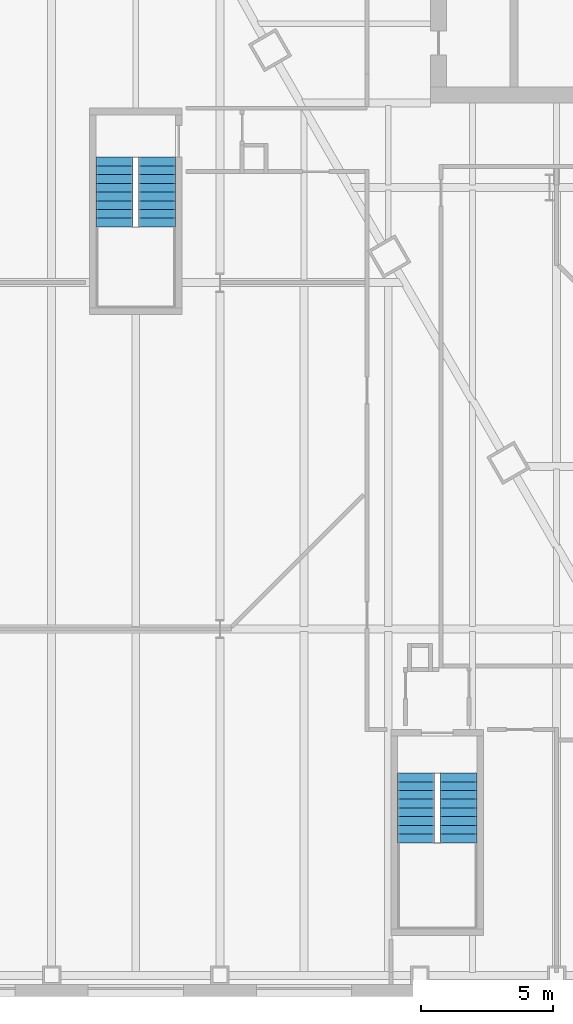
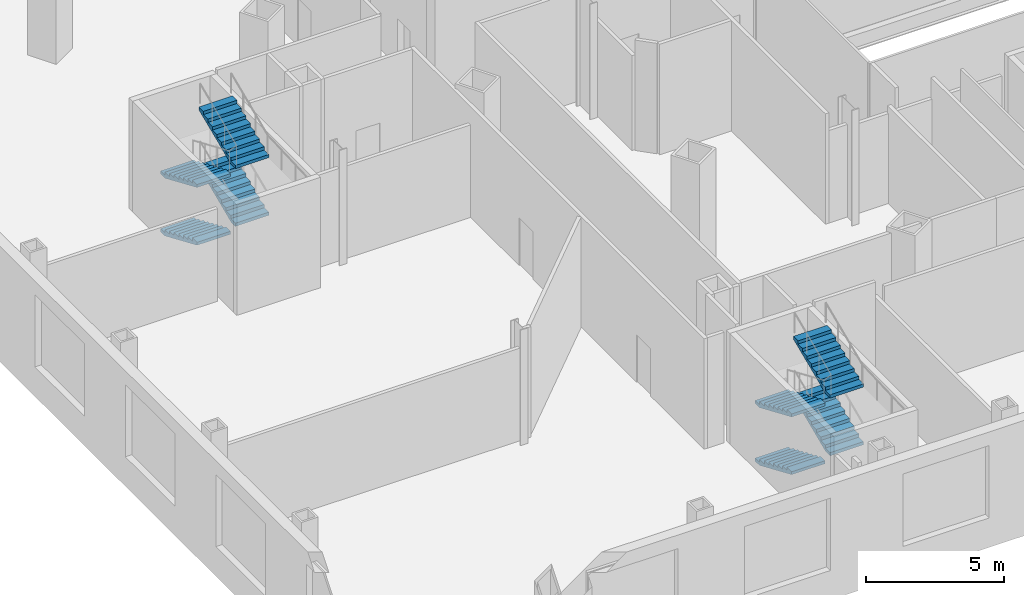
# One storey, part 16 of 21: 8 stair flights, 2 elements without a shape of their own.
"""IFC4 building model written with IfcOpenShell, lengths in metres."""

from ifc_helpers import new_model, si_unit, direction, frame, origin, place, context, subcontext, project, spatial, polygons, material, type_object, element, aggregate, save


model = new_model("IFC4")

# Units and contexts
model_context = context("Model", 3, precision=1e-05, world=origin(), true_north=direction((0.0, 1.0)))
body_context = subcontext(model_context, "Body", "Model", "MODEL_VIEW")
ifc_project = project(units=[si_unit("LENGTHUNIT", "METRE"), si_unit("AREAUNIT", "SQUARE_METRE"), si_unit("VOLUMEUNIT", "CUBIC_METRE"), si_unit("PLANEANGLEUNIT", "RADIAN"), si_unit("MASSUNIT", "GRAM", prefix="KILO")], contexts=[model_context])

# Site, building, storey
site_placement = place(None, origin())
site = spatial("IfcSite", under=ifc_project, at=site_placement, CompositionType="ELEMENT")
building_placement = place(site_placement, origin())
building = spatial("IfcBuilding", under=site, at=building_placement, Name="Njiva Tower", CompositionType="ELEMENT")
storey_placement = place(building_placement, frame((0.0, 0.0, 8.4)))
storey = spatial("IfcBuildingStorey", under=building, at=storey_placement, Name="L01", CompositionType="ELEMENT", Elevation=8.4)

# Stair, stair flights
ifc_material = material(Name="Concrete C40/50", Category="concrete")
stair_type = type_object("IfcStairType", Name="ST2 Exit stair 1400", PredefinedType="HALF_TURN_STAIR", material=ifc_material)
stair_1_placement = place(storey_placement, origin())
stair_1 = element("IfcStair", 1, at=stair_1_placement, inside=storey, type_object=stair_type, Name="Stair D", PredefinedType="DOUBLE_RETURN_STAIR")
stair_flight_type = type_object("IfcStairFlightType", Name="FL2 Stair flight 1400", PredefinedType="STRAIGHT", material=ifc_material)
stair_flight_1_placement = place(storey_placement, frame((-18.05, -25.35, 0.0), z_axis=(0.0, 0.0, 1.0), x_axis=(0.0, -1.0, 0.0)))
stair_flight_1 = element("IfcStairFlight", 2, at=stair_flight_1_placement, type_object=stair_flight_type, Name="ST-D flight 1", NumberOfRisers=9, NumberOfTreads=8, PredefinedType="STRAIGHT", RiserHeight=0.141666667, TreadLength=0.33, context=body_context, shape_type="Tessellation", body=[
    polygons([(0.0, 0.7, 0.0), (0.0, 0.35, 0.0), (0.0, 0.0, 0.0), (0.0, -0.35, 0.0), (0.0, -0.7, 0.0), (0.0, 0.7, 0.1417), (0.0, 0.35, 0.1417), (0.0, 0.0, 0.1417), (0.0, -0.35, 0.1417), (0.0, -0.7, 0.1417), (0.33, 0.7, 0.1417), (0.33, 0.35, 0.1417), (0.33, 0.0, 0.1417), (0.33, -0.35, 0.1417), (0.33, -0.7, 0.1417), (0.33, 0.7, 0.2833), (0.33, 0.35, 0.2833), (0.33, 0.0, 0.2833), (0.33, -0.35, 0.2833), (0.33, -0.7, 0.2833), (0.66, 0.7, 0.2833), (0.66, 0.35, 0.2833), (0.66, 0.0, 0.2833), (0.66, -0.35, 0.2833), (0.66, -0.7, 0.2833), (0.66, 0.7, 0.425), (0.66, 0.35, 0.425), (0.66, 0.0, 0.425), (0.66, -0.35, 0.425), (0.66, -0.7, 0.425), (0.99, 0.7, 0.425), (0.99, 0.35, 0.425), (0.99, 0.0, 0.425), (0.99, -0.35, 0.425), (0.99, -0.7, 0.425), (0.99, 0.7, 0.5667), (0.99, 0.35, 0.5667), (0.99, 0.0, 0.5667), (0.99, -0.35, 0.5667), (0.99, -0.7, 0.5667), (1.32, 0.7, 0.5667), (1.32, 0.35, 0.5667), (1.32, 0.0, 0.5667), (1.32, -0.35, 0.5667), (1.32, -0.7, 0.5667), (1.32, 0.7, 0.7083), (1.32, 0.35, 0.7083), (1.32, 0.0, 0.7083), (1.32, -0.35, 0.7083), (1.32, -0.7, 0.7083), (1.65, 0.7, 0.7083), (1.65, 0.35, 0.7083), (1.65, 0.0, 0.7083), (1.65, -0.35, 0.7083), (1.65, -0.7, 0.7083), (1.65, 0.7, 0.85), (1.65, 0.35, 0.85), (1.65, 0.0, 0.85), (1.65, -0.35, 0.85), (1.65, -0.7, 0.85), (1.98, 0.7, 0.85), (1.98, 0.35, 0.85), (1.98, 0.0, 0.85), (1.98, -0.35, 0.85), (1.98, -0.7, 0.85), (1.98, 0.7, 0.9917), (1.98, 0.35, 0.9917), (1.98, 0.0, 0.9917), (1.98, -0.35, 0.9917), (1.98, -0.7, 0.9917), (2.31, 0.7, 0.9917), (2.31, 0.35, 0.9917), (2.31, 0.0, 0.9917), (2.31, -0.35, 0.9917), (2.31, -0.7, 0.9917), (2.31, 0.7, 1.1333), (2.31, 0.35, 1.1333), (2.31, 0.0, 1.1333), (2.31, -0.35, 1.1333), (2.31, -0.7, 1.1333), (2.64, 0.7, 1.1333), (2.64, 0.35, 1.1333), (2.64, 0.0, 1.1333), (2.64, -0.35, 1.1333), (2.64, -0.7, 1.1333), (2.64, 0.7, 1.0027), (2.64, 0.35, 1.0027), (2.64, 0.0, 1.0027), (2.64, -0.35, 1.0027), (2.64, -0.7, 1.0027), (0.3042, 0.7, 0.0), (0.3042, 0.35, 0.0), (0.3042, 0.0, 0.0), (0.3042, -0.35, 0.0), (0.3042, -0.7, 0.0)], [[[1, 6, 11, 16, 21, 26, 31, 36, 41, 46, 51, 56, 61, 66, 71, 76, 81, 86, 91]], [[95, 90, 85, 80, 75, 70, 65, 60, 55, 50, 45, 40, 35, 30, 25, 20, 15, 10, 5]], [[6, 1, 2, 7]], [[7, 2, 3, 8]], [[8, 3, 4, 9]], [[9, 4, 5, 10]], [[11, 6, 7, 12]], [[12, 7, 8, 13]], [[13, 8, 9, 14]], [[14, 9, 10, 15]], [[16, 11, 12, 17]], [[17, 12, 13, 18]], [[18, 13, 14, 19]], [[19, 14, 15, 20]], [[21, 16, 17, 22]], [[22, 17, 18, 23]], [[23, 18, 19, 24]], [[24, 19, 20, 25]], [[26, 21, 22, 27]], [[27, 22, 23, 28]], [[28, 23, 24, 29]], [[29, 24, 25, 30]], [[31, 26, 27, 32]], [[32, 27, 28, 33]], [[33, 28, 29, 34]], [[34, 29, 30, 35]], [[36, 31, 32, 37]], [[37, 32, 33, 38]], [[38, 33, 34, 39]], [[39, 34, 35, 40]], [[41, 36, 37, 42]], [[42, 37, 38, 43]], [[43, 38, 39, 44]], [[44, 39, 40, 45]], [[46, 41, 42, 47]], [[47, 42, 43, 48]], [[48, 43, 44, 49]], [[49, 44, 45, 50]], [[51, 46, 47, 52]], [[52, 47, 48, 53]], [[53, 48, 49, 54]], [[54, 49, 50, 55]], [[56, 51, 52, 57]], [[57, 52, 53, 58]], [[58, 53, 54, 59]], [[59, 54, 55, 60]], [[61, 56, 57, 62]], [[62, 57, 58, 63]], [[63, 58, 59, 64]], [[64, 59, 60, 65]], [[66, 61, 62, 67]], [[67, 62, 63, 68]], [[68, 63, 64, 69]], [[69, 64, 65, 70]], [[71, 66, 67, 72]], [[72, 67, 68, 73]], [[73, 68, 69, 74]], [[74, 69, 70, 75]], [[76, 71, 72, 77]], [[77, 72, 73, 78]], [[78, 73, 74, 79]], [[79, 74, 75, 80]], [[81, 76, 77, 82]], [[82, 77, 78, 83]], [[83, 78, 79, 84]], [[84, 79, 80, 85]], [[86, 81, 82, 87]], [[87, 82, 83, 88]], [[88, 83, 84, 89]], [[89, 84, 85, 90]], [[91, 86, 87, 92]], [[92, 87, 88, 93]], [[93, 88, 89, 94]], [[94, 89, 90, 95]], [[1, 91, 92, 2]], [[2, 92, 93, 3]], [[3, 93, 94, 4]], [[4, 94, 95, 5]]], closed=True),
])
stair_flight_2_placement = place(storey_placement, frame((-16.45, -27.99, 1.275), z_axis=(0.0, 0.0, 1.0), x_axis=(0.0, 1.0, 0.0)))
stair_flight_2 = element("IfcStairFlight", 3, at=stair_flight_2_placement, type_object=stair_flight_type, Name="ST-D flight 2", NumberOfRisers=9, NumberOfTreads=8, PredefinedType="STRAIGHT", RiserHeight=0.141666667, TreadLength=0.33, context=body_context, shape_type="Tessellation", body=[
    polygons([(0.0, 0.7, 0.0), (0.0, 0.35, 0.0), (0.0, 0.0, 0.0), (0.0, -0.35, 0.0), (0.0, -0.7, 0.0), (0.0, 0.7, 0.1417), (0.0, 0.35, 0.1417), (0.0, 0.0, 0.1417), (0.0, -0.35, 0.1417), (0.0, -0.7, 0.1417), (0.33, 0.7, 0.1417), (0.33, 0.35, 0.1417), (0.33, 0.0, 0.1417), (0.33, -0.35, 0.1417), (0.33, -0.7, 0.1417), (0.33, 0.7, 0.2833), (0.33, 0.35, 0.2833), (0.33, 0.0, 0.2833), (0.33, -0.35, 0.2833), (0.33, -0.7, 0.2833), (0.66, 0.7, 0.2833), (0.66, 0.35, 0.2833), (0.66, 0.0, 0.2833), (0.66, -0.35, 0.2833), (0.66, -0.7, 0.2833), (0.66, 0.7, 0.425), (0.66, 0.35, 0.425), (0.66, 0.0, 0.425), (0.66, -0.35, 0.425), (0.66, -0.7, 0.425), (0.99, 0.7, 0.425), (0.99, 0.35, 0.425), (0.99, 0.0, 0.425), (0.99, -0.35, 0.425), (0.99, -0.7, 0.425), (0.99, 0.7, 0.5667), (0.99, 0.35, 0.5667), (0.99, 0.0, 0.5667), (0.99, -0.35, 0.5667), (0.99, -0.7, 0.5667), (1.32, 0.7, 0.5667), (1.32, 0.35, 0.5667), (1.32, 0.0, 0.5667), (1.32, -0.35, 0.5667), (1.32, -0.7, 0.5667), (1.32, 0.7, 0.7083), (1.32, 0.35, 0.7083), (1.32, 0.0, 0.7083), (1.32, -0.35, 0.7083), (1.32, -0.7, 0.7083), (1.65, 0.7, 0.7083), (1.65, 0.35, 0.7083), (1.65, 0.0, 0.7083), (1.65, -0.35, 0.7083), (1.65, -0.7, 0.7083), (1.65, 0.7, 0.85), (1.65, 0.35, 0.85), (1.65, 0.0, 0.85), (1.65, -0.35, 0.85), (1.65, -0.7, 0.85), (1.98, 0.7, 0.85), (1.98, 0.35, 0.85), (1.98, 0.0, 0.85), (1.98, -0.35, 0.85), (1.98, -0.7, 0.85), (1.98, 0.7, 0.9917), (1.98, 0.35, 0.9917), (1.98, 0.0, 0.9917), (1.98, -0.35, 0.9917), (1.98, -0.7, 0.9917), (2.31, 0.7, 0.9917), (2.31, 0.35, 0.9917), (2.31, 0.0, 0.9917), (2.31, -0.35, 0.9917), (2.31, -0.7, 0.9917), (2.31, 0.7, 1.1333), (2.31, 0.35, 1.1333), (2.31, 0.0, 1.1333), (2.31, -0.35, 1.1333), (2.31, -0.7, 1.1333), (2.64, 0.7, 1.1333), (2.64, 0.35, 1.1333), (2.64, 0.0, 1.1333), (2.64, -0.35, 1.1333), (2.64, -0.7, 1.1333), (2.64, 0.7, 1.0027), (2.64, 0.35, 1.0027), (2.64, 0.0, 1.0027), (2.64, -0.35, 1.0027), (2.64, -0.7, 1.0027), (0.3042, 0.7, 0.0), (0.3042, 0.35, 0.0), (0.3042, 0.0, 0.0), (0.3042, -0.35, 0.0), (0.3042, -0.7, 0.0)], [[[1, 6, 11, 16, 21, 26, 31, 36, 41, 46, 51, 56, 61, 66, 71, 76, 81, 86, 91]], [[95, 90, 85, 80, 75, 70, 65, 60, 55, 50, 45, 40, 35, 30, 25, 20, 15, 10, 5]], [[6, 1, 2, 7]], [[7, 2, 3, 8]], [[8, 3, 4, 9]], [[9, 4, 5, 10]], [[11, 6, 7, 12]], [[12, 7, 8, 13]], [[13, 8, 9, 14]], [[14, 9, 10, 15]], [[16, 11, 12, 17]], [[17, 12, 13, 18]], [[18, 13, 14, 19]], [[19, 14, 15, 20]], [[21, 16, 17, 22]], [[22, 17, 18, 23]], [[23, 18, 19, 24]], [[24, 19, 20, 25]], [[26, 21, 22, 27]], [[27, 22, 23, 28]], [[28, 23, 24, 29]], [[29, 24, 25, 30]], [[31, 26, 27, 32]], [[32, 27, 28, 33]], [[33, 28, 29, 34]], [[34, 29, 30, 35]], [[36, 31, 32, 37]], [[37, 32, 33, 38]], [[38, 33, 34, 39]], [[39, 34, 35, 40]], [[41, 36, 37, 42]], [[42, 37, 38, 43]], [[43, 38, 39, 44]], [[44, 39, 40, 45]], [[46, 41, 42, 47]], [[47, 42, 43, 48]], [[48, 43, 44, 49]], [[49, 44, 45, 50]], [[51, 46, 47, 52]], [[52, 47, 48, 53]], [[53, 48, 49, 54]], [[54, 49, 50, 55]], [[56, 51, 52, 57]], [[57, 52, 53, 58]], [[58, 53, 54, 59]], [[59, 54, 55, 60]], [[61, 56, 57, 62]], [[62, 57, 58, 63]], [[63, 58, 59, 64]], [[64, 59, 60, 65]], [[66, 61, 62, 67]], [[67, 62, 63, 68]], [[68, 63, 64, 69]], [[69, 64, 65, 70]], [[71, 66, 67, 72]], [[72, 67, 68, 73]], [[73, 68, 69, 74]], [[74, 69, 70, 75]], [[76, 71, 72, 77]], [[77, 72, 73, 78]], [[78, 73, 74, 79]], [[79, 74, 75, 80]], [[81, 76, 77, 82]], [[82, 77, 78, 83]], [[83, 78, 79, 84]], [[84, 79, 80, 85]], [[86, 81, 82, 87]], [[87, 82, 83, 88]], [[88, 83, 84, 89]], [[89, 84, 85, 90]], [[91, 86, 87, 92]], [[92, 87, 88, 93]], [[93, 88, 89, 94]], [[94, 89, 90, 95]], [[1, 91, 92, 2]], [[2, 92, 93, 3]], [[3, 93, 94, 4]], [[4, 94, 95, 5]]], closed=True),
])
stair_flight_3_placement = place(storey_placement, frame((-18.05, -25.35, 2.55), z_axis=(0.0, 0.0, 1.0), x_axis=(0.0, -1.0, 0.0)))
stair_flight_3 = element("IfcStairFlight", 4, at=stair_flight_3_placement, type_object=stair_flight_type, Name="ST-D flight 3", NumberOfRisers=9, NumberOfTreads=8, PredefinedType="STRAIGHT", RiserHeight=0.141666667, TreadLength=0.33, context=body_context, shape_type="Tessellation", body=[
    polygons([(0.0, 0.7, 0.0), (0.0, 0.35, 0.0), (0.0, 0.0, 0.0), (0.0, -0.35, 0.0), (0.0, -0.7, 0.0), (0.0, 0.7, 0.1417), (0.0, 0.35, 0.1417), (0.0, 0.0, 0.1417), (0.0, -0.35, 0.1417), (0.0, -0.7, 0.1417), (0.33, 0.7, 0.1417), (0.33, 0.35, 0.1417), (0.33, 0.0, 0.1417), (0.33, -0.35, 0.1417), (0.33, -0.7, 0.1417), (0.33, 0.7, 0.2833), (0.33, 0.35, 0.2833), (0.33, 0.0, 0.2833), (0.33, -0.35, 0.2833), (0.33, -0.7, 0.2833), (0.66, 0.7, 0.2833), (0.66, 0.35, 0.2833), (0.66, 0.0, 0.2833), (0.66, -0.35, 0.2833), (0.66, -0.7, 0.2833), (0.66, 0.7, 0.425), (0.66, 0.35, 0.425), (0.66, 0.0, 0.425), (0.66, -0.35, 0.425), (0.66, -0.7, 0.425), (0.99, 0.7, 0.425), (0.99, 0.35, 0.425), (0.99, 0.0, 0.425), (0.99, -0.35, 0.425), (0.99, -0.7, 0.425), (0.99, 0.7, 0.5667), (0.99, 0.35, 0.5667), (0.99, 0.0, 0.5667), (0.99, -0.35, 0.5667), (0.99, -0.7, 0.5667), (1.32, 0.7, 0.5667), (1.32, 0.35, 0.5667), (1.32, 0.0, 0.5667), (1.32, -0.35, 0.5667), (1.32, -0.7, 0.5667), (1.32, 0.7, 0.7083), (1.32, 0.35, 0.7083), (1.32, 0.0, 0.7083), (1.32, -0.35, 0.7083), (1.32, -0.7, 0.7083), (1.65, 0.7, 0.7083), (1.65, 0.35, 0.7083), (1.65, 0.0, 0.7083), (1.65, -0.35, 0.7083), (1.65, -0.7, 0.7083), (1.65, 0.7, 0.85), (1.65, 0.35, 0.85), (1.65, 0.0, 0.85), (1.65, -0.35, 0.85), (1.65, -0.7, 0.85), (1.98, 0.7, 0.85), (1.98, 0.35, 0.85), (1.98, 0.0, 0.85), (1.98, -0.35, 0.85), (1.98, -0.7, 0.85), (1.98, 0.7, 0.9917), (1.98, 0.35, 0.9917), (1.98, 0.0, 0.9917), (1.98, -0.35, 0.9917), (1.98, -0.7, 0.9917), (2.31, 0.7, 0.9917), (2.31, 0.35, 0.9917), (2.31, 0.0, 0.9917), (2.31, -0.35, 0.9917), (2.31, -0.7, 0.9917), (2.31, 0.7, 1.1333), (2.31, 0.35, 1.1333), (2.31, 0.0, 1.1333), (2.31, -0.35, 1.1333), (2.31, -0.7, 1.1333), (2.64, 0.7, 1.1333), (2.64, 0.35, 1.1333), (2.64, 0.0, 1.1333), (2.64, -0.35, 1.1333), (2.64, -0.7, 1.1333), (2.64, 0.7, 1.0027), (2.64, 0.35, 1.0027), (2.64, 0.0, 1.0027), (2.64, -0.35, 1.0027), (2.64, -0.7, 1.0027), (0.3042, 0.7, 0.0), (0.3042, 0.35, 0.0), (0.3042, 0.0, 0.0), (0.3042, -0.35, 0.0), (0.3042, -0.7, 0.0)], [[[1, 6, 11, 16, 21, 26, 31, 36, 41, 46, 51, 56, 61, 66, 71, 76, 81, 86, 91]], [[95, 90, 85, 80, 75, 70, 65, 60, 55, 50, 45, 40, 35, 30, 25, 20, 15, 10, 5]], [[6, 1, 2, 7]], [[7, 2, 3, 8]], [[8, 3, 4, 9]], [[9, 4, 5, 10]], [[11, 6, 7, 12]], [[12, 7, 8, 13]], [[13, 8, 9, 14]], [[14, 9, 10, 15]], [[16, 11, 12, 17]], [[17, 12, 13, 18]], [[18, 13, 14, 19]], [[19, 14, 15, 20]], [[21, 16, 17, 22]], [[22, 17, 18, 23]], [[23, 18, 19, 24]], [[24, 19, 20, 25]], [[26, 21, 22, 27]], [[27, 22, 23, 28]], [[28, 23, 24, 29]], [[29, 24, 25, 30]], [[31, 26, 27, 32]], [[32, 27, 28, 33]], [[33, 28, 29, 34]], [[34, 29, 30, 35]], [[36, 31, 32, 37]], [[37, 32, 33, 38]], [[38, 33, 34, 39]], [[39, 34, 35, 40]], [[41, 36, 37, 42]], [[42, 37, 38, 43]], [[43, 38, 39, 44]], [[44, 39, 40, 45]], [[46, 41, 42, 47]], [[47, 42, 43, 48]], [[48, 43, 44, 49]], [[49, 44, 45, 50]], [[51, 46, 47, 52]], [[52, 47, 48, 53]], [[53, 48, 49, 54]], [[54, 49, 50, 55]], [[56, 51, 52, 57]], [[57, 52, 53, 58]], [[58, 53, 54, 59]], [[59, 54, 55, 60]], [[61, 56, 57, 62]], [[62, 57, 58, 63]], [[63, 58, 59, 64]], [[64, 59, 60, 65]], [[66, 61, 62, 67]], [[67, 62, 63, 68]], [[68, 63, 64, 69]], [[69, 64, 65, 70]], [[71, 66, 67, 72]], [[72, 67, 68, 73]], [[73, 68, 69, 74]], [[74, 69, 70, 75]], [[76, 71, 72, 77]], [[77, 72, 73, 78]], [[78, 73, 74, 79]], [[79, 74, 75, 80]], [[81, 76, 77, 82]], [[82, 77, 78, 83]], [[83, 78, 79, 84]], [[84, 79, 80, 85]], [[86, 81, 82, 87]], [[87, 82, 83, 88]], [[88, 83, 84, 89]], [[89, 84, 85, 90]], [[91, 86, 87, 92]], [[92, 87, 88, 93]], [[93, 88, 89, 94]], [[94, 89, 90, 95]], [[1, 91, 92, 2]], [[2, 92, 93, 3]], [[3, 93, 94, 4]], [[4, 94, 95, 5]]], closed=True),
])
stair_flight_4_placement = place(storey_placement, frame((-16.45, -27.99, 3.825), z_axis=(0.0, 0.0, 1.0), x_axis=(0.0, 1.0, 0.0)))
stair_flight_4 = element("IfcStairFlight", 5, at=stair_flight_4_placement, type_object=stair_flight_type, Name="ST-D flight 4", NumberOfRisers=9, NumberOfTreads=8, PredefinedType="STRAIGHT", RiserHeight=0.141666667, TreadLength=0.33, context=body_context, shape_type="Tessellation", body=[
    polygons([(0.0, 0.7, 0.0), (0.0, 0.35, 0.0), (0.0, 0.0, 0.0), (0.0, -0.35, 0.0), (0.0, -0.7, 0.0), (0.0, 0.7, 0.1417), (0.0, 0.35, 0.1417), (0.0, 0.0, 0.1417), (0.0, -0.35, 0.1417), (0.0, -0.7, 0.1417), (0.33, 0.7, 0.1417), (0.33, 0.35, 0.1417), (0.33, 0.0, 0.1417), (0.33, -0.35, 0.1417), (0.33, -0.7, 0.1417), (0.33, 0.7, 0.2833), (0.33, 0.35, 0.2833), (0.33, 0.0, 0.2833), (0.33, -0.35, 0.2833), (0.33, -0.7, 0.2833), (0.66, 0.7, 0.2833), (0.66, 0.35, 0.2833), (0.66, 0.0, 0.2833), (0.66, -0.35, 0.2833), (0.66, -0.7, 0.2833), (0.66, 0.7, 0.425), (0.66, 0.35, 0.425), (0.66, 0.0, 0.425), (0.66, -0.35, 0.425), (0.66, -0.7, 0.425), (0.99, 0.7, 0.425), (0.99, 0.35, 0.425), (0.99, 0.0, 0.425), (0.99, -0.35, 0.425), (0.99, -0.7, 0.425), (0.99, 0.7, 0.5667), (0.99, 0.35, 0.5667), (0.99, 0.0, 0.5667), (0.99, -0.35, 0.5667), (0.99, -0.7, 0.5667), (1.32, 0.7, 0.5667), (1.32, 0.35, 0.5667), (1.32, 0.0, 0.5667), (1.32, -0.35, 0.5667), (1.32, -0.7, 0.5667), (1.32, 0.7, 0.7083), (1.32, 0.35, 0.7083), (1.32, 0.0, 0.7083), (1.32, -0.35, 0.7083), (1.32, -0.7, 0.7083), (1.65, 0.7, 0.7083), (1.65, 0.35, 0.7083), (1.65, 0.0, 0.7083), (1.65, -0.35, 0.7083), (1.65, -0.7, 0.7083), (1.65, 0.7, 0.85), (1.65, 0.35, 0.85), (1.65, 0.0, 0.85), (1.65, -0.35, 0.85), (1.65, -0.7, 0.85), (1.98, 0.7, 0.85), (1.98, 0.35, 0.85), (1.98, 0.0, 0.85), (1.98, -0.35, 0.85), (1.98, -0.7, 0.85), (1.98, 0.7, 0.9917), (1.98, 0.35, 0.9917), (1.98, 0.0, 0.9917), (1.98, -0.35, 0.9917), (1.98, -0.7, 0.9917), (2.31, 0.7, 0.9917), (2.31, 0.35, 0.9917), (2.31, 0.0, 0.9917), (2.31, -0.35, 0.9917), (2.31, -0.7, 0.9917), (2.31, 0.7, 1.1333), (2.31, 0.35, 1.1333), (2.31, 0.0, 1.1333), (2.31, -0.35, 1.1333), (2.31, -0.7, 1.1333), (2.64, 0.7, 1.1333), (2.64, 0.35, 1.1333), (2.64, 0.0, 1.1333), (2.64, -0.35, 1.1333), (2.64, -0.7, 1.1333), (2.64, 0.7, 1.0027), (2.64, 0.35, 1.0027), (2.64, 0.0, 1.0027), (2.64, -0.35, 1.0027), (2.64, -0.7, 1.0027), (0.3042, 0.7, 0.0), (0.3042, 0.35, 0.0), (0.3042, 0.0, 0.0), (0.3042, -0.35, 0.0), (0.3042, -0.7, 0.0)], [[[1, 6, 11, 16, 21, 26, 31, 36, 41, 46, 51, 56, 61, 66, 71, 76, 81, 86, 91]], [[95, 90, 85, 80, 75, 70, 65, 60, 55, 50, 45, 40, 35, 30, 25, 20, 15, 10, 5]], [[6, 1, 2, 7]], [[7, 2, 3, 8]], [[8, 3, 4, 9]], [[9, 4, 5, 10]], [[11, 6, 7, 12]], [[12, 7, 8, 13]], [[13, 8, 9, 14]], [[14, 9, 10, 15]], [[16, 11, 12, 17]], [[17, 12, 13, 18]], [[18, 13, 14, 19]], [[19, 14, 15, 20]], [[21, 16, 17, 22]], [[22, 17, 18, 23]], [[23, 18, 19, 24]], [[24, 19, 20, 25]], [[26, 21, 22, 27]], [[27, 22, 23, 28]], [[28, 23, 24, 29]], [[29, 24, 25, 30]], [[31, 26, 27, 32]], [[32, 27, 28, 33]], [[33, 28, 29, 34]], [[34, 29, 30, 35]], [[36, 31, 32, 37]], [[37, 32, 33, 38]], [[38, 33, 34, 39]], [[39, 34, 35, 40]], [[41, 36, 37, 42]], [[42, 37, 38, 43]], [[43, 38, 39, 44]], [[44, 39, 40, 45]], [[46, 41, 42, 47]], [[47, 42, 43, 48]], [[48, 43, 44, 49]], [[49, 44, 45, 50]], [[51, 46, 47, 52]], [[52, 47, 48, 53]], [[53, 48, 49, 54]], [[54, 49, 50, 55]], [[56, 51, 52, 57]], [[57, 52, 53, 58]], [[58, 53, 54, 59]], [[59, 54, 55, 60]], [[61, 56, 57, 62]], [[62, 57, 58, 63]], [[63, 58, 59, 64]], [[64, 59, 60, 65]], [[66, 61, 62, 67]], [[67, 62, 63, 68]], [[68, 63, 64, 69]], [[69, 64, 65, 70]], [[71, 66, 67, 72]], [[72, 67, 68, 73]], [[73, 68, 69, 74]], [[74, 69, 70, 75]], [[76, 71, 72, 77]], [[77, 72, 73, 78]], [[78, 73, 74, 79]], [[79, 74, 75, 80]], [[81, 76, 77, 82]], [[82, 77, 78, 83]], [[83, 78, 79, 84]], [[84, 79, 80, 85]], [[86, 81, 82, 87]], [[87, 82, 83, 88]], [[88, 83, 84, 89]], [[89, 84, 85, 90]], [[91, 86, 87, 92]], [[92, 87, 88, 93]], [[93, 88, 89, 94]], [[94, 89, 90, 95]], [[1, 91, 92, 2]], [[2, 92, 93, 3]], [[3, 93, 94, 4]], [[4, 94, 95, 5]]], closed=True),
])
aggregate(stair_1, [stair_flight_1, stair_flight_2, stair_flight_3, stair_flight_4])

stair_2_placement = place(storey_placement, origin())
stair_2 = element("IfcStair", 6, at=stair_2_placement, inside=storey, type_object=stair_type, Name="Stair F", PredefinedType="DOUBLE_RETURN_STAIR")
stair_flight_5_placement = place(storey_placement, frame((-29.45, -2.05, 0.0), z_axis=(0.0, 0.0, 1.0), x_axis=(0.0, -1.0, 0.0)))
stair_flight_5 = element("IfcStairFlight", 7, at=stair_flight_5_placement, type_object=stair_flight_type, Name="ST-F flight 1", NumberOfRisers=9, NumberOfTreads=8, PredefinedType="STRAIGHT", RiserHeight=0.141666667, TreadLength=0.33, context=body_context, shape_type="Tessellation", body=[
    polygons([(0.0, 0.7, 0.0), (0.0, 0.35, 0.0), (0.0, 0.0, 0.0), (0.0, -0.35, 0.0), (0.0, -0.7, 0.0), (0.0, 0.7, 0.1417), (0.0, 0.35, 0.1417), (0.0, 0.0, 0.1417), (0.0, -0.35, 0.1417), (0.0, -0.7, 0.1417), (0.33, 0.7, 0.1417), (0.33, 0.35, 0.1417), (0.33, 0.0, 0.1417), (0.33, -0.35, 0.1417), (0.33, -0.7, 0.1417), (0.33, 0.7, 0.2833), (0.33, 0.35, 0.2833), (0.33, 0.0, 0.2833), (0.33, -0.35, 0.2833), (0.33, -0.7, 0.2833), (0.66, 0.7, 0.2833), (0.66, 0.35, 0.2833), (0.66, 0.0, 0.2833), (0.66, -0.35, 0.2833), (0.66, -0.7, 0.2833), (0.66, 0.7, 0.425), (0.66, 0.35, 0.425), (0.66, 0.0, 0.425), (0.66, -0.35, 0.425), (0.66, -0.7, 0.425), (0.99, 0.7, 0.425), (0.99, 0.35, 0.425), (0.99, 0.0, 0.425), (0.99, -0.35, 0.425), (0.99, -0.7, 0.425), (0.99, 0.7, 0.5667), (0.99, 0.35, 0.5667), (0.99, 0.0, 0.5667), (0.99, -0.35, 0.5667), (0.99, -0.7, 0.5667), (1.32, 0.7, 0.5667), (1.32, 0.35, 0.5667), (1.32, 0.0, 0.5667), (1.32, -0.35, 0.5667), (1.32, -0.7, 0.5667), (1.32, 0.7, 0.7083), (1.32, 0.35, 0.7083), (1.32, 0.0, 0.7083), (1.32, -0.35, 0.7083), (1.32, -0.7, 0.7083), (1.65, 0.7, 0.7083), (1.65, 0.35, 0.7083), (1.65, 0.0, 0.7083), (1.65, -0.35, 0.7083), (1.65, -0.7, 0.7083), (1.65, 0.7, 0.85), (1.65, 0.35, 0.85), (1.65, 0.0, 0.85), (1.65, -0.35, 0.85), (1.65, -0.7, 0.85), (1.98, 0.7, 0.85), (1.98, 0.35, 0.85), (1.98, 0.0, 0.85), (1.98, -0.35, 0.85), (1.98, -0.7, 0.85), (1.98, 0.7, 0.9917), (1.98, 0.35, 0.9917), (1.98, 0.0, 0.9917), (1.98, -0.35, 0.9917), (1.98, -0.7, 0.9917), (2.31, 0.7, 0.9917), (2.31, 0.35, 0.9917), (2.31, 0.0, 0.9917), (2.31, -0.35, 0.9917), (2.31, -0.7, 0.9917), (2.31, 0.7, 1.1333), (2.31, 0.35, 1.1333), (2.31, 0.0, 1.1333), (2.31, -0.35, 1.1333), (2.31, -0.7, 1.1333), (2.64, 0.7, 1.1333), (2.64, 0.35, 1.1333), (2.64, 0.0, 1.1333), (2.64, -0.35, 1.1333), (2.64, -0.7, 1.1333), (2.64, 0.7, 1.0027), (2.64, 0.35, 1.0027), (2.64, 0.0, 1.0027), (2.64, -0.35, 1.0027), (2.64, -0.7, 1.0027), (0.3042, 0.7, 0.0), (0.3042, 0.35, 0.0), (0.3042, 0.0, 0.0), (0.3042, -0.35, 0.0), (0.3042, -0.7, 0.0)], [[[1, 6, 11, 16, 21, 26, 31, 36, 41, 46, 51, 56, 61, 66, 71, 76, 81, 86, 91]], [[95, 90, 85, 80, 75, 70, 65, 60, 55, 50, 45, 40, 35, 30, 25, 20, 15, 10, 5]], [[6, 1, 2, 7]], [[7, 2, 3, 8]], [[8, 3, 4, 9]], [[9, 4, 5, 10]], [[11, 6, 7, 12]], [[12, 7, 8, 13]], [[13, 8, 9, 14]], [[14, 9, 10, 15]], [[16, 11, 12, 17]], [[17, 12, 13, 18]], [[18, 13, 14, 19]], [[19, 14, 15, 20]], [[21, 16, 17, 22]], [[22, 17, 18, 23]], [[23, 18, 19, 24]], [[24, 19, 20, 25]], [[26, 21, 22, 27]], [[27, 22, 23, 28]], [[28, 23, 24, 29]], [[29, 24, 25, 30]], [[31, 26, 27, 32]], [[32, 27, 28, 33]], [[33, 28, 29, 34]], [[34, 29, 30, 35]], [[36, 31, 32, 37]], [[37, 32, 33, 38]], [[38, 33, 34, 39]], [[39, 34, 35, 40]], [[41, 36, 37, 42]], [[42, 37, 38, 43]], [[43, 38, 39, 44]], [[44, 39, 40, 45]], [[46, 41, 42, 47]], [[47, 42, 43, 48]], [[48, 43, 44, 49]], [[49, 44, 45, 50]], [[51, 46, 47, 52]], [[52, 47, 48, 53]], [[53, 48, 49, 54]], [[54, 49, 50, 55]], [[56, 51, 52, 57]], [[57, 52, 53, 58]], [[58, 53, 54, 59]], [[59, 54, 55, 60]], [[61, 56, 57, 62]], [[62, 57, 58, 63]], [[63, 58, 59, 64]], [[64, 59, 60, 65]], [[66, 61, 62, 67]], [[67, 62, 63, 68]], [[68, 63, 64, 69]], [[69, 64, 65, 70]], [[71, 66, 67, 72]], [[72, 67, 68, 73]], [[73, 68, 69, 74]], [[74, 69, 70, 75]], [[76, 71, 72, 77]], [[77, 72, 73, 78]], [[78, 73, 74, 79]], [[79, 74, 75, 80]], [[81, 76, 77, 82]], [[82, 77, 78, 83]], [[83, 78, 79, 84]], [[84, 79, 80, 85]], [[86, 81, 82, 87]], [[87, 82, 83, 88]], [[88, 83, 84, 89]], [[89, 84, 85, 90]], [[91, 86, 87, 92]], [[92, 87, 88, 93]], [[93, 88, 89, 94]], [[94, 89, 90, 95]], [[1, 91, 92, 2]], [[2, 92, 93, 3]], [[3, 93, 94, 4]], [[4, 94, 95, 5]]], closed=True),
])
stair_flight_6_placement = place(storey_placement, frame((-27.85, -4.69, 1.275), z_axis=(0.0, 0.0, 1.0), x_axis=(0.0, 1.0, 0.0)))
stair_flight_6 = element("IfcStairFlight", 8, at=stair_flight_6_placement, type_object=stair_flight_type, Name="ST-F flight 2", NumberOfRisers=9, NumberOfTreads=8, PredefinedType="STRAIGHT", RiserHeight=0.141666667, TreadLength=0.33, context=body_context, shape_type="Tessellation", body=[
    polygons([(0.0, 0.7, 0.0), (0.0, 0.35, 0.0), (0.0, 0.0, 0.0), (0.0, -0.35, 0.0), (0.0, -0.7, 0.0), (0.0, 0.7, 0.1417), (0.0, 0.35, 0.1417), (0.0, 0.0, 0.1417), (0.0, -0.35, 0.1417), (0.0, -0.7, 0.1417), (0.33, 0.7, 0.1417), (0.33, 0.35, 0.1417), (0.33, 0.0, 0.1417), (0.33, -0.35, 0.1417), (0.33, -0.7, 0.1417), (0.33, 0.7, 0.2833), (0.33, 0.35, 0.2833), (0.33, 0.0, 0.2833), (0.33, -0.35, 0.2833), (0.33, -0.7, 0.2833), (0.66, 0.7, 0.2833), (0.66, 0.35, 0.2833), (0.66, 0.0, 0.2833), (0.66, -0.35, 0.2833), (0.66, -0.7, 0.2833), (0.66, 0.7, 0.425), (0.66, 0.35, 0.425), (0.66, 0.0, 0.425), (0.66, -0.35, 0.425), (0.66, -0.7, 0.425), (0.99, 0.7, 0.425), (0.99, 0.35, 0.425), (0.99, 0.0, 0.425), (0.99, -0.35, 0.425), (0.99, -0.7, 0.425), (0.99, 0.7, 0.5667), (0.99, 0.35, 0.5667), (0.99, 0.0, 0.5667), (0.99, -0.35, 0.5667), (0.99, -0.7, 0.5667), (1.32, 0.7, 0.5667), (1.32, 0.35, 0.5667), (1.32, 0.0, 0.5667), (1.32, -0.35, 0.5667), (1.32, -0.7, 0.5667), (1.32, 0.7, 0.7083), (1.32, 0.35, 0.7083), (1.32, 0.0, 0.7083), (1.32, -0.35, 0.7083), (1.32, -0.7, 0.7083), (1.65, 0.7, 0.7083), (1.65, 0.35, 0.7083), (1.65, 0.0, 0.7083), (1.65, -0.35, 0.7083), (1.65, -0.7, 0.7083), (1.65, 0.7, 0.85), (1.65, 0.35, 0.85), (1.65, 0.0, 0.85), (1.65, -0.35, 0.85), (1.65, -0.7, 0.85), (1.98, 0.7, 0.85), (1.98, 0.35, 0.85), (1.98, 0.0, 0.85), (1.98, -0.35, 0.85), (1.98, -0.7, 0.85), (1.98, 0.7, 0.9917), (1.98, 0.35, 0.9917), (1.98, 0.0, 0.9917), (1.98, -0.35, 0.9917), (1.98, -0.7, 0.9917), (2.31, 0.7, 0.9917), (2.31, 0.35, 0.9917), (2.31, 0.0, 0.9917), (2.31, -0.35, 0.9917), (2.31, -0.7, 0.9917), (2.31, 0.7, 1.1333), (2.31, 0.35, 1.1333), (2.31, 0.0, 1.1333), (2.31, -0.35, 1.1333), (2.31, -0.7, 1.1333), (2.64, 0.7, 1.1333), (2.64, 0.35, 1.1333), (2.64, 0.0, 1.1333), (2.64, -0.35, 1.1333), (2.64, -0.7, 1.1333), (2.64, 0.7, 1.0027), (2.64, 0.35, 1.0027), (2.64, 0.0, 1.0027), (2.64, -0.35, 1.0027), (2.64, -0.7, 1.0027), (0.3042, 0.7, 0.0), (0.3042, 0.35, 0.0), (0.3042, 0.0, 0.0), (0.3042, -0.35, 0.0), (0.3042, -0.7, 0.0)], [[[1, 6, 11, 16, 21, 26, 31, 36, 41, 46, 51, 56, 61, 66, 71, 76, 81, 86, 91]], [[95, 90, 85, 80, 75, 70, 65, 60, 55, 50, 45, 40, 35, 30, 25, 20, 15, 10, 5]], [[6, 1, 2, 7]], [[7, 2, 3, 8]], [[8, 3, 4, 9]], [[9, 4, 5, 10]], [[11, 6, 7, 12]], [[12, 7, 8, 13]], [[13, 8, 9, 14]], [[14, 9, 10, 15]], [[16, 11, 12, 17]], [[17, 12, 13, 18]], [[18, 13, 14, 19]], [[19, 14, 15, 20]], [[21, 16, 17, 22]], [[22, 17, 18, 23]], [[23, 18, 19, 24]], [[24, 19, 20, 25]], [[26, 21, 22, 27]], [[27, 22, 23, 28]], [[28, 23, 24, 29]], [[29, 24, 25, 30]], [[31, 26, 27, 32]], [[32, 27, 28, 33]], [[33, 28, 29, 34]], [[34, 29, 30, 35]], [[36, 31, 32, 37]], [[37, 32, 33, 38]], [[38, 33, 34, 39]], [[39, 34, 35, 40]], [[41, 36, 37, 42]], [[42, 37, 38, 43]], [[43, 38, 39, 44]], [[44, 39, 40, 45]], [[46, 41, 42, 47]], [[47, 42, 43, 48]], [[48, 43, 44, 49]], [[49, 44, 45, 50]], [[51, 46, 47, 52]], [[52, 47, 48, 53]], [[53, 48, 49, 54]], [[54, 49, 50, 55]], [[56, 51, 52, 57]], [[57, 52, 53, 58]], [[58, 53, 54, 59]], [[59, 54, 55, 60]], [[61, 56, 57, 62]], [[62, 57, 58, 63]], [[63, 58, 59, 64]], [[64, 59, 60, 65]], [[66, 61, 62, 67]], [[67, 62, 63, 68]], [[68, 63, 64, 69]], [[69, 64, 65, 70]], [[71, 66, 67, 72]], [[72, 67, 68, 73]], [[73, 68, 69, 74]], [[74, 69, 70, 75]], [[76, 71, 72, 77]], [[77, 72, 73, 78]], [[78, 73, 74, 79]], [[79, 74, 75, 80]], [[81, 76, 77, 82]], [[82, 77, 78, 83]], [[83, 78, 79, 84]], [[84, 79, 80, 85]], [[86, 81, 82, 87]], [[87, 82, 83, 88]], [[88, 83, 84, 89]], [[89, 84, 85, 90]], [[91, 86, 87, 92]], [[92, 87, 88, 93]], [[93, 88, 89, 94]], [[94, 89, 90, 95]], [[1, 91, 92, 2]], [[2, 92, 93, 3]], [[3, 93, 94, 4]], [[4, 94, 95, 5]]], closed=True),
])
stair_flight_7_placement = place(storey_placement, frame((-29.45, -2.05, 2.55), z_axis=(0.0, 0.0, 1.0), x_axis=(0.0, -1.0, 0.0)))
stair_flight_7 = element("IfcStairFlight", 9, at=stair_flight_7_placement, type_object=stair_flight_type, Name="ST-F flight 3", NumberOfRisers=9, NumberOfTreads=8, PredefinedType="STRAIGHT", RiserHeight=0.141666667, TreadLength=0.33, context=body_context, shape_type="Tessellation", body=[
    polygons([(0.0, 0.7, 0.0), (0.0, 0.35, 0.0), (0.0, 0.0, 0.0), (0.0, -0.35, 0.0), (0.0, -0.7, 0.0), (0.0, 0.7, 0.1417), (0.0, 0.35, 0.1417), (0.0, 0.0, 0.1417), (0.0, -0.35, 0.1417), (0.0, -0.7, 0.1417), (0.33, 0.7, 0.1417), (0.33, 0.35, 0.1417), (0.33, 0.0, 0.1417), (0.33, -0.35, 0.1417), (0.33, -0.7, 0.1417), (0.33, 0.7, 0.2833), (0.33, 0.35, 0.2833), (0.33, 0.0, 0.2833), (0.33, -0.35, 0.2833), (0.33, -0.7, 0.2833), (0.66, 0.7, 0.2833), (0.66, 0.35, 0.2833), (0.66, 0.0, 0.2833), (0.66, -0.35, 0.2833), (0.66, -0.7, 0.2833), (0.66, 0.7, 0.425), (0.66, 0.35, 0.425), (0.66, 0.0, 0.425), (0.66, -0.35, 0.425), (0.66, -0.7, 0.425), (0.99, 0.7, 0.425), (0.99, 0.35, 0.425), (0.99, 0.0, 0.425), (0.99, -0.35, 0.425), (0.99, -0.7, 0.425), (0.99, 0.7, 0.5667), (0.99, 0.35, 0.5667), (0.99, 0.0, 0.5667), (0.99, -0.35, 0.5667), (0.99, -0.7, 0.5667), (1.32, 0.7, 0.5667), (1.32, 0.35, 0.5667), (1.32, 0.0, 0.5667), (1.32, -0.35, 0.5667), (1.32, -0.7, 0.5667), (1.32, 0.7, 0.7083), (1.32, 0.35, 0.7083), (1.32, 0.0, 0.7083), (1.32, -0.35, 0.7083), (1.32, -0.7, 0.7083), (1.65, 0.7, 0.7083), (1.65, 0.35, 0.7083), (1.65, 0.0, 0.7083), (1.65, -0.35, 0.7083), (1.65, -0.7, 0.7083), (1.65, 0.7, 0.85), (1.65, 0.35, 0.85), (1.65, 0.0, 0.85), (1.65, -0.35, 0.85), (1.65, -0.7, 0.85), (1.98, 0.7, 0.85), (1.98, 0.35, 0.85), (1.98, 0.0, 0.85), (1.98, -0.35, 0.85), (1.98, -0.7, 0.85), (1.98, 0.7, 0.9917), (1.98, 0.35, 0.9917), (1.98, 0.0, 0.9917), (1.98, -0.35, 0.9917), (1.98, -0.7, 0.9917), (2.31, 0.7, 0.9917), (2.31, 0.35, 0.9917), (2.31, 0.0, 0.9917), (2.31, -0.35, 0.9917), (2.31, -0.7, 0.9917), (2.31, 0.7, 1.1333), (2.31, 0.35, 1.1333), (2.31, 0.0, 1.1333), (2.31, -0.35, 1.1333), (2.31, -0.7, 1.1333), (2.64, 0.7, 1.1333), (2.64, 0.35, 1.1333), (2.64, 0.0, 1.1333), (2.64, -0.35, 1.1333), (2.64, -0.7, 1.1333), (2.64, 0.7, 1.0027), (2.64, 0.35, 1.0027), (2.64, 0.0, 1.0027), (2.64, -0.35, 1.0027), (2.64, -0.7, 1.0027), (0.3042, 0.7, 0.0), (0.3042, 0.35, 0.0), (0.3042, 0.0, 0.0), (0.3042, -0.35, 0.0), (0.3042, -0.7, 0.0)], [[[1, 6, 11, 16, 21, 26, 31, 36, 41, 46, 51, 56, 61, 66, 71, 76, 81, 86, 91]], [[95, 90, 85, 80, 75, 70, 65, 60, 55, 50, 45, 40, 35, 30, 25, 20, 15, 10, 5]], [[6, 1, 2, 7]], [[7, 2, 3, 8]], [[8, 3, 4, 9]], [[9, 4, 5, 10]], [[11, 6, 7, 12]], [[12, 7, 8, 13]], [[13, 8, 9, 14]], [[14, 9, 10, 15]], [[16, 11, 12, 17]], [[17, 12, 13, 18]], [[18, 13, 14, 19]], [[19, 14, 15, 20]], [[21, 16, 17, 22]], [[22, 17, 18, 23]], [[23, 18, 19, 24]], [[24, 19, 20, 25]], [[26, 21, 22, 27]], [[27, 22, 23, 28]], [[28, 23, 24, 29]], [[29, 24, 25, 30]], [[31, 26, 27, 32]], [[32, 27, 28, 33]], [[33, 28, 29, 34]], [[34, 29, 30, 35]], [[36, 31, 32, 37]], [[37, 32, 33, 38]], [[38, 33, 34, 39]], [[39, 34, 35, 40]], [[41, 36, 37, 42]], [[42, 37, 38, 43]], [[43, 38, 39, 44]], [[44, 39, 40, 45]], [[46, 41, 42, 47]], [[47, 42, 43, 48]], [[48, 43, 44, 49]], [[49, 44, 45, 50]], [[51, 46, 47, 52]], [[52, 47, 48, 53]], [[53, 48, 49, 54]], [[54, 49, 50, 55]], [[56, 51, 52, 57]], [[57, 52, 53, 58]], [[58, 53, 54, 59]], [[59, 54, 55, 60]], [[61, 56, 57, 62]], [[62, 57, 58, 63]], [[63, 58, 59, 64]], [[64, 59, 60, 65]], [[66, 61, 62, 67]], [[67, 62, 63, 68]], [[68, 63, 64, 69]], [[69, 64, 65, 70]], [[71, 66, 67, 72]], [[72, 67, 68, 73]], [[73, 68, 69, 74]], [[74, 69, 70, 75]], [[76, 71, 72, 77]], [[77, 72, 73, 78]], [[78, 73, 74, 79]], [[79, 74, 75, 80]], [[81, 76, 77, 82]], [[82, 77, 78, 83]], [[83, 78, 79, 84]], [[84, 79, 80, 85]], [[86, 81, 82, 87]], [[87, 82, 83, 88]], [[88, 83, 84, 89]], [[89, 84, 85, 90]], [[91, 86, 87, 92]], [[92, 87, 88, 93]], [[93, 88, 89, 94]], [[94, 89, 90, 95]], [[1, 91, 92, 2]], [[2, 92, 93, 3]], [[3, 93, 94, 4]], [[4, 94, 95, 5]]], closed=True),
])
stair_flight_8_placement = place(storey_placement, frame((-27.85, -4.69, 3.825), z_axis=(0.0, 0.0, 1.0), x_axis=(0.0, 1.0, 0.0)))
stair_flight_8 = element("IfcStairFlight", 10, at=stair_flight_8_placement, type_object=stair_flight_type, Name="ST-F flight 4", NumberOfRisers=9, NumberOfTreads=8, PredefinedType="STRAIGHT", RiserHeight=0.141666667, TreadLength=0.33, context=body_context, shape_type="Tessellation", body=[
    polygons([(0.0, 0.7, 0.0), (0.0, 0.35, 0.0), (0.0, 0.0, 0.0), (0.0, -0.35, 0.0), (0.0, -0.7, 0.0), (0.0, 0.7, 0.1417), (0.0, 0.35, 0.1417), (0.0, 0.0, 0.1417), (0.0, -0.35, 0.1417), (0.0, -0.7, 0.1417), (0.33, 0.7, 0.1417), (0.33, 0.35, 0.1417), (0.33, 0.0, 0.1417), (0.33, -0.35, 0.1417), (0.33, -0.7, 0.1417), (0.33, 0.7, 0.2833), (0.33, 0.35, 0.2833), (0.33, 0.0, 0.2833), (0.33, -0.35, 0.2833), (0.33, -0.7, 0.2833), (0.66, 0.7, 0.2833), (0.66, 0.35, 0.2833), (0.66, 0.0, 0.2833), (0.66, -0.35, 0.2833), (0.66, -0.7, 0.2833), (0.66, 0.7, 0.425), (0.66, 0.35, 0.425), (0.66, 0.0, 0.425), (0.66, -0.35, 0.425), (0.66, -0.7, 0.425), (0.99, 0.7, 0.425), (0.99, 0.35, 0.425), (0.99, 0.0, 0.425), (0.99, -0.35, 0.425), (0.99, -0.7, 0.425), (0.99, 0.7, 0.5667), (0.99, 0.35, 0.5667), (0.99, 0.0, 0.5667), (0.99, -0.35, 0.5667), (0.99, -0.7, 0.5667), (1.32, 0.7, 0.5667), (1.32, 0.35, 0.5667), (1.32, 0.0, 0.5667), (1.32, -0.35, 0.5667), (1.32, -0.7, 0.5667), (1.32, 0.7, 0.7083), (1.32, 0.35, 0.7083), (1.32, 0.0, 0.7083), (1.32, -0.35, 0.7083), (1.32, -0.7, 0.7083), (1.65, 0.7, 0.7083), (1.65, 0.35, 0.7083), (1.65, 0.0, 0.7083), (1.65, -0.35, 0.7083), (1.65, -0.7, 0.7083), (1.65, 0.7, 0.85), (1.65, 0.35, 0.85), (1.65, 0.0, 0.85), (1.65, -0.35, 0.85), (1.65, -0.7, 0.85), (1.98, 0.7, 0.85), (1.98, 0.35, 0.85), (1.98, 0.0, 0.85), (1.98, -0.35, 0.85), (1.98, -0.7, 0.85), (1.98, 0.7, 0.9917), (1.98, 0.35, 0.9917), (1.98, 0.0, 0.9917), (1.98, -0.35, 0.9917), (1.98, -0.7, 0.9917), (2.31, 0.7, 0.9917), (2.31, 0.35, 0.9917), (2.31, 0.0, 0.9917), (2.31, -0.35, 0.9917), (2.31, -0.7, 0.9917), (2.31, 0.7, 1.1333), (2.31, 0.35, 1.1333), (2.31, 0.0, 1.1333), (2.31, -0.35, 1.1333), (2.31, -0.7, 1.1333), (2.64, 0.7, 1.1333), (2.64, 0.35, 1.1333), (2.64, 0.0, 1.1333), (2.64, -0.35, 1.1333), (2.64, -0.7, 1.1333), (2.64, 0.7, 1.0027), (2.64, 0.35, 1.0027), (2.64, 0.0, 1.0027), (2.64, -0.35, 1.0027), (2.64, -0.7, 1.0027), (0.3042, 0.7, 0.0), (0.3042, 0.35, 0.0), (0.3042, 0.0, 0.0), (0.3042, -0.35, 0.0), (0.3042, -0.7, 0.0)], [[[1, 6, 11, 16, 21, 26, 31, 36, 41, 46, 51, 56, 61, 66, 71, 76, 81, 86, 91]], [[95, 90, 85, 80, 75, 70, 65, 60, 55, 50, 45, 40, 35, 30, 25, 20, 15, 10, 5]], [[6, 1, 2, 7]], [[7, 2, 3, 8]], [[8, 3, 4, 9]], [[9, 4, 5, 10]], [[11, 6, 7, 12]], [[12, 7, 8, 13]], [[13, 8, 9, 14]], [[14, 9, 10, 15]], [[16, 11, 12, 17]], [[17, 12, 13, 18]], [[18, 13, 14, 19]], [[19, 14, 15, 20]], [[21, 16, 17, 22]], [[22, 17, 18, 23]], [[23, 18, 19, 24]], [[24, 19, 20, 25]], [[26, 21, 22, 27]], [[27, 22, 23, 28]], [[28, 23, 24, 29]], [[29, 24, 25, 30]], [[31, 26, 27, 32]], [[32, 27, 28, 33]], [[33, 28, 29, 34]], [[34, 29, 30, 35]], [[36, 31, 32, 37]], [[37, 32, 33, 38]], [[38, 33, 34, 39]], [[39, 34, 35, 40]], [[41, 36, 37, 42]], [[42, 37, 38, 43]], [[43, 38, 39, 44]], [[44, 39, 40, 45]], [[46, 41, 42, 47]], [[47, 42, 43, 48]], [[48, 43, 44, 49]], [[49, 44, 45, 50]], [[51, 46, 47, 52]], [[52, 47, 48, 53]], [[53, 48, 49, 54]], [[54, 49, 50, 55]], [[56, 51, 52, 57]], [[57, 52, 53, 58]], [[58, 53, 54, 59]], [[59, 54, 55, 60]], [[61, 56, 57, 62]], [[62, 57, 58, 63]], [[63, 58, 59, 64]], [[64, 59, 60, 65]], [[66, 61, 62, 67]], [[67, 62, 63, 68]], [[68, 63, 64, 69]], [[69, 64, 65, 70]], [[71, 66, 67, 72]], [[72, 67, 68, 73]], [[73, 68, 69, 74]], [[74, 69, 70, 75]], [[76, 71, 72, 77]], [[77, 72, 73, 78]], [[78, 73, 74, 79]], [[79, 74, 75, 80]], [[81, 76, 77, 82]], [[82, 77, 78, 83]], [[83, 78, 79, 84]], [[84, 79, 80, 85]], [[86, 81, 82, 87]], [[87, 82, 83, 88]], [[88, 83, 84, 89]], [[89, 84, 85, 90]], [[91, 86, 87, 92]], [[92, 87, 88, 93]], [[93, 88, 89, 94]], [[94, 89, 90, 95]], [[1, 91, 92, 2]], [[2, 92, 93, 3]], [[3, 93, 94, 4]], [[4, 94, 95, 5]]], closed=True),
])
aggregate(stair_2, [stair_flight_5, stair_flight_6, stair_flight_7, stair_flight_8])

save(model, "model.ifc")
